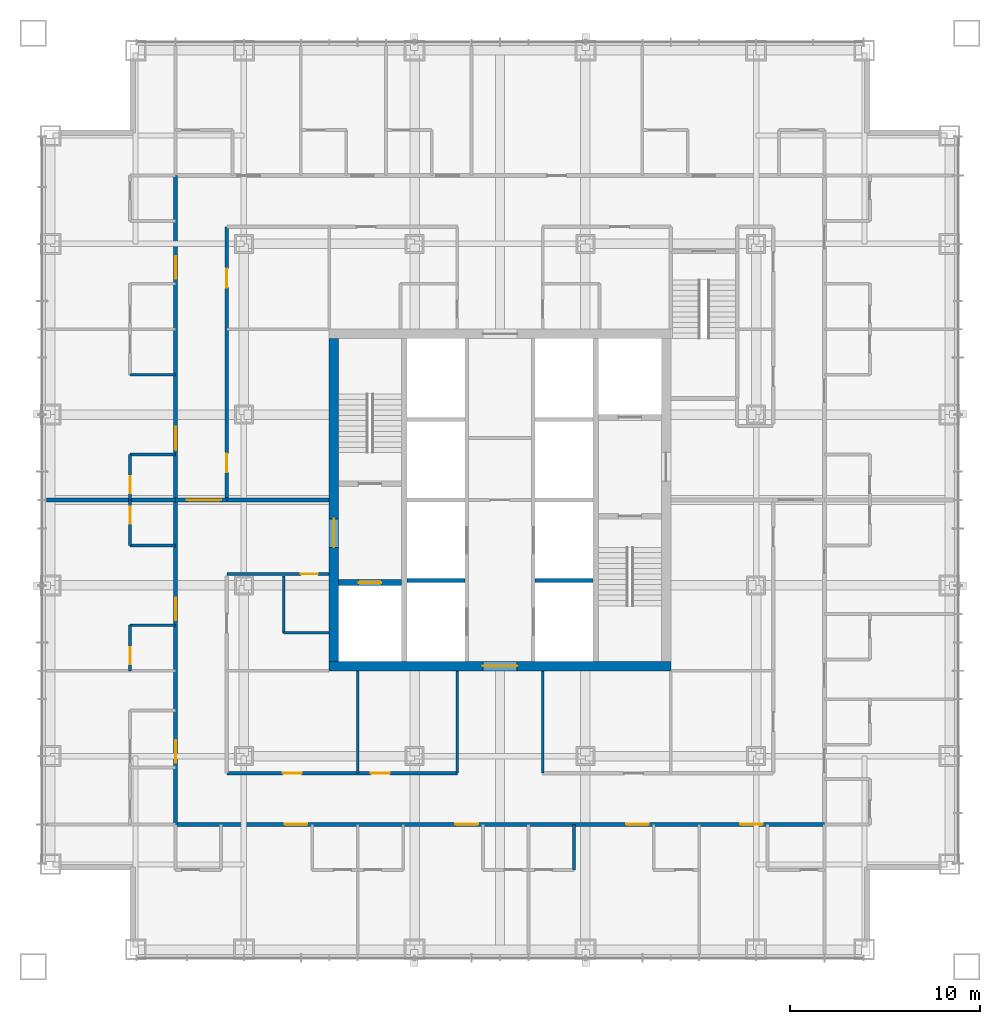
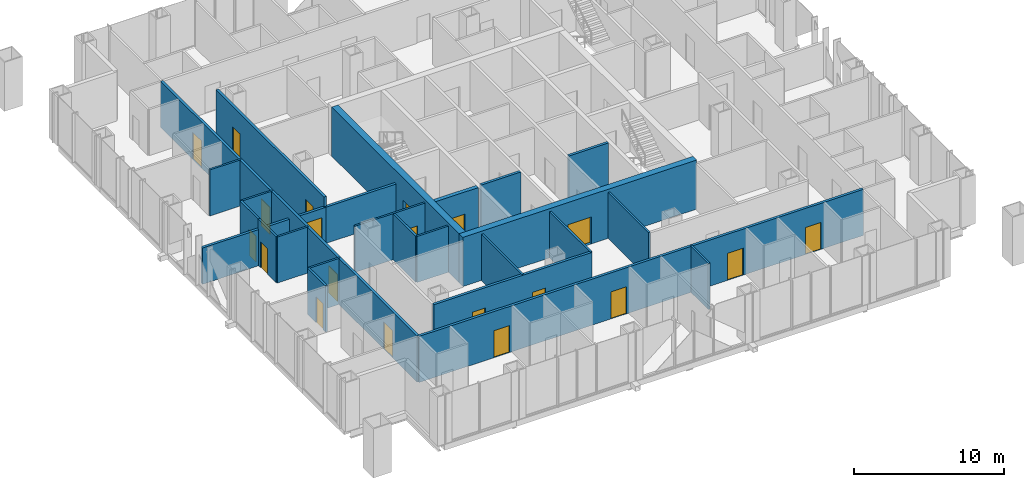
# One storey, part 9 of 16: 26 walls, 20 doors, 20 openings.
"""IFC4 building model written with IfcOpenShell, lengths in metres."""

from ifc_helpers import new_model, si_unit, direction, frame, frame_2d, origin, place, context, subcontext, project, spatial, rectangle, extrude, material, layer, layer_set, type_object, element, fill, save


model = new_model("IFC4")

# Units and contexts
model_context = context("Model", 3, precision=1e-05, world=origin(), true_north=direction((0.0, 1.0)))
body_context = subcontext(model_context, "Body", "Model", "MODEL_VIEW")
ifc_project = project(units=[si_unit("LENGTHUNIT", "METRE"), si_unit("AREAUNIT", "SQUARE_METRE"), si_unit("VOLUMEUNIT", "CUBIC_METRE"), si_unit("PLANEANGLEUNIT", "RADIAN"), si_unit("MASSUNIT", "GRAM", prefix="KILO")], contexts=[model_context])

# Site, building, storey
site_placement = place(None, origin())
site = spatial("IfcSite", under=ifc_project, at=site_placement, CompositionType="ELEMENT")
building_placement = place(site_placement, origin())
building = spatial("IfcBuilding", under=site, at=building_placement, Name="Malebo Sky Hospital", CompositionType="ELEMENT")
storey_placement = place(building_placement, frame((0.0, 0.0, 116.0)))
storey = spatial("IfcBuildingStorey", under=building, at=storey_placement, Name="L27", CompositionType="ELEMENT", Elevation=116.0)

# Walls
ifc_material_1 = material(Name="Concrete C80/95", Category="concrete")
ifc_layer_1 = layer(ifc_material_1, 0.199951171875)
ifc_layer_set_1 = layer_set([ifc_layer_1], Name="CORE INNER WALL 200")
wall_type_1 = type_object("IfcWallType", Name="CORE INNER WALL 200", PredefinedType="SHEAR", material=ifc_layer_set_1)
for number, where, z_axis, x_axis, name in (
    (1, (55.10009765625, 57.75, 0.0), (0.0, 0.0, 1.0), (1.0, 0.0, 0.0), "Core wall SW0 L27"),
    (2, (61.85009765625, 57.75, 0.0), (0.0, 0.0, 1.0), (1.0, 0.0, 0.0), "Core wall SE0 L27"),
):
    element("IfcWall", number, at=place(storey_placement, frame(where, z_axis=z_axis, x_axis=x_axis)), inside=storey, type_object=wall_type_1, Name=name, PredefinedType="SHEAR", context=body_context, shape_type="SweptSolid", body=[
        extrude(rectangle(XDim=3.0498046875, YDim=0.199951171875, at=frame_2d((1.52490234375, 0.0))), origin(), (0.0, 0.0, 1.0), 4.0),
    ])

# Wall, opening, door
ifc_layer_2 = layer(ifc_material_1, 0.300048828125)
ifc_layer_set_2 = layer_set([ifc_layer_2], Name="CORE INNER WALL 300")
wall_type_2 = type_object("IfcWallType", Name="CORE INNER WALL 300", PredefinedType="SHEAR", material=ifc_layer_set_2)
wall_1_placement = place(storey_placement, frame((51.5, 57.64990234375, 0.0), z_axis=(0.0, 0.0, 1.0), x_axis=(1.0, 0.0, 0.0)))
wall_1 = element("IfcWall", 3, at=wall_1_placement, inside=storey, type_object=wall_type_2, Name="Core wall W2 L27", PredefinedType="SHEAR", context=body_context, shape_type="SweptSolid", body=[
    extrude(rectangle(XDim=3.300048828125, YDim=0.300048828125, at=frame_2d((1.64990234375, 0.0))), origin(), (0.0, 0.0, 1.0), 4.0),
])
opening_1_placement = place(wall_1_placement, frame((1.050048828125, 0.0, 0.0)))
opening_1 = element("IfcOpeningElement", 4, at=opening_1_placement, cuts=wall_1, Name="Opening LD2", PredefinedType="OPENING", context=body_context, shape_type="SweptSolid", body=[
    extrude(rectangle(XDim=1.199951171875, YDim=2.199951171875, at=frame_2d((0.60009765625, 1.10009765625))), frame((0.0, 0.159912109375, 0.0), z_axis=(0.0, -1.0, 0.0), x_axis=(1.0, 0.0, 0.0)), (0.0, 0.0, 1.0), 0.320068359375),
])
ifc_material_2 = material(Name="Stainless steel sliding landing door", Category="steel")
door_type_1 = type_object("IfcDoorType", Name="FIRE-FIGHTING LIFT LANDING DOOR 1200", OperationType="SLIDING_TO_LEFT", PredefinedType="DOOR", material=ifc_material_2)
door_1_placement = place(opening_1_placement, origin())
door_1 = element("IfcDoor", 5, at=door_1_placement, inside=storey, type_object=door_type_1, Name="Lift FL1 landing door", OperationType="SLIDING_TO_LEFT", OverallHeight=2.199951171875, OverallWidth=1.199951171875, PredefinedType="DOOR", context=body_context, shape_type="SweptSolid", body=[
    extrude(rectangle(XDim=1.199951171875, YDim=2.199951171875, at=frame_2d((0.60009765625, 1.10009765625))), frame((0.0, 0.02490234375, 0.0), z_axis=(0.0, -1.0, 0.0), x_axis=(1.0, 0.0, 0.0)), (0.0, 0.0, 1.0), 0.050048828125),
])
fill(opening_1, door_1)

ifc_layer_3 = layer(ifc_material_1, 0.5)
ifc_layer_set_3 = layer_set([ifc_layer_3], Name="CORE WALL 500")
wall_type_3 = type_object("IfcWallType", Name="CORE WALL 500", PredefinedType="SHEAR", material=ifc_layer_set_3)
wall_2_placement = place(storey_placement, frame((51.0, 53.25, 0.0), z_axis=(0.0, 0.0, 1.0), x_axis=(1.0, 0.0, 0.0)))
wall_2 = element("IfcWall", 6, at=wall_2_placement, inside=storey, type_object=wall_type_3, Name="Core wall S L27", PredefinedType="SHEAR", context=body_context, shape_type="SweptSolid", body=[
    extrude(rectangle(XDim=18.0, YDim=0.5, at=frame_2d((9.0, 0.0))), origin(), (0.0, 0.0, 1.0), 4.0),
])
opening_2_placement = place(wall_2_placement, frame((8.10009765625, 0.0, 0.0)))
opening_2 = element("IfcOpeningElement", 7, at=opening_2_placement, cuts=wall_2, Name="Opening D06", PredefinedType="OPENING", context=body_context, shape_type="SweptSolid", body=[
    extrude(rectangle(XDim=1.800048828125, YDim=2.199951171875, at=frame_2d((0.89990234375, 1.10009765625))), frame((0.0, 0.260009765625, 0.0), z_axis=(0.0, -1.0, 0.0), x_axis=(1.0, 0.0, 0.0)), (0.0, 0.0, 1.0), 0.52001953125),
])
ifc_material_3 = material(Name="Hardwood-faced door leaf in steel frame", Category="steel")
door_type_2 = type_object("IfcDoorType", Name="LOBBY DOOR PAIR 1800", OperationType="DOUBLE_DOOR_SINGLE_SWING", PredefinedType="DOOR", material=ifc_material_3)
door_2_placement = place(opening_2_placement, origin())
door_2 = element("IfcDoor", 8, at=door_2_placement, inside=storey, type_object=door_type_2, Name="Lift lobby door south", OperationType="DOUBLE_DOOR_SINGLE_SWING", OverallHeight=2.199951171875, OverallWidth=1.800048828125, PredefinedType="DOOR", context=body_context, shape_type="SweptSolid", body=[
    extrude(rectangle(XDim=1.800048828125, YDim=2.199951171875, at=frame_2d((0.89990234375, 1.10009765625))), frame((0.0, 0.02490234375, 0.0), z_axis=(0.0, -1.0, 0.0), x_axis=(1.0, 0.0, 0.0)), (0.0, 0.0, 1.0), 0.050048828125),
])
fill(opening_2, door_2)

wall_3_placement = place(storey_placement, frame((51.25, 53.5, 0.0), z_axis=(0.0, 0.0, 1.0), x_axis=(0.0, 1.0, 0.0)))
wall_3 = element("IfcWall", 9, at=wall_3_placement, inside=storey, type_object=wall_type_3, Name="Core wall W L27", PredefinedType="SHEAR", context=body_context, shape_type="SweptSolid", body=[
    extrude(rectangle(XDim=17.0, YDim=0.5, at=frame_2d((8.5, 0.0))), origin(), (0.0, 0.0, 1.0), 4.0),
])
opening_3_placement = place(wall_3_placement, frame((6.0, 0.0, 0.0)))
opening_3 = element("IfcOpeningElement", 10, at=opening_3_placement, cuts=wall_3, Name="Opening D07", PredefinedType="OPENING", context=body_context, shape_type="SweptSolid", body=[
    extrude(rectangle(XDim=1.5, YDim=2.199951171875, at=frame_2d((0.75, 1.10009765625))), frame((0.0, 0.260009765625, 0.0), z_axis=(0.0, -1.0, 0.0), x_axis=(1.0, 0.0, 0.0)), (0.0, 0.0, 1.0), 0.52001953125),
])
door_type_3 = type_object("IfcDoorType", Name="FIRE-FIGHTING LOBBY DOOR PAIR 1500", OperationType="DOUBLE_DOOR_SINGLE_SWING", PredefinedType="DOOR", material=ifc_material_3)
door_3_placement = place(opening_3_placement, origin())
door_3 = element("IfcDoor", 11, at=door_3_placement, inside=storey, type_object=door_type_3, Name="Fire-fighting lobby door west", OperationType="DOUBLE_DOOR_SINGLE_SWING", OverallHeight=2.199951171875, OverallWidth=1.5, PredefinedType="DOOR", context=body_context, shape_type="SweptSolid", body=[
    extrude(rectangle(XDim=1.5, YDim=2.199951171875, at=frame_2d((0.75, 1.10009765625))), frame((0.0, 0.02490234375, 0.0), z_axis=(0.0, -1.0, 0.0), x_axis=(1.0, 0.0, 0.0)), (0.0, 0.0, 1.0), 0.050048828125),
])
fill(opening_3, door_3)

# Wall, openings, doors
ifc_material_4 = material(Name="Gypsum board on steel studs", Category="steel")
ifc_layer_4 = layer(ifc_material_4, 0.199951171875)
ifc_layer_set_4 = layer_set([ifc_layer_4], Name="CORRIDOR WALL 200")
wall_type_4 = type_object("IfcWallType", Name="CORRIDOR WALL 200", PredefinedType="PARTITIONING", material=ifc_layer_set_4)
wall_4_placement = place(storey_placement, frame((42.89990234375, 44.89990234375, 0.0), z_axis=(0.0, 0.0, 1.0), x_axis=(0.0, 1.0, 0.0)))
wall_4 = element("IfcWall", 12, at=wall_4_placement, inside=storey, type_object=wall_type_4, Name="Corridor Wall 200 WCO", PredefinedType="PARTITIONING", context=body_context, shape_type="SweptSolid", body=[
    extrude(rectangle(XDim=34.2001953125, YDim=0.199951171875, at=frame_2d((17.10009765625, 0.0))), origin(), (0.0, 0.0, 1.0), 3.75),
])
opening_4_placement = place(wall_4_placement, frame((3.25, 0.0, 0.0)))
opening_4 = element("IfcOpeningElement", 13, at=opening_4_placement, cuts=wall_4, Name="Opening D18", PredefinedType="OPENING", context=body_context, shape_type="SweptSolid", body=[
    extrude(rectangle(XDim=1.199951171875, YDim=2.199951171875, at=frame_2d((0.60009765625, 1.10009765625))), frame((0.0, 0.10986328125, 0.0), z_axis=(0.0, -1.0, 0.0), x_axis=(1.0, 0.0, 0.0)), (0.0, 0.0, 1.0), 0.219970703125),
])
opening_5_placement = place(wall_4_placement, frame((10.75, 0.0, 0.0)))
opening_5 = element("IfcOpeningElement", 14, at=opening_5_placement, cuts=wall_4, Name="Opening D01", PredefinedType="OPENING", context=body_context, shape_type="SweptSolid", body=[
    extrude(rectangle(XDim=1.199951171875, YDim=2.199951171875, at=frame_2d((0.60009765625, 1.10009765625))), frame((0.0, 0.10986328125, 0.0), z_axis=(0.0, -1.0, 0.0), x_axis=(1.0, 0.0, 0.0)), (0.0, 0.0, 1.0), 0.219970703125),
])
opening_6_placement = place(wall_4_placement, frame((19.75, 0.0, 0.0)))
opening_6 = element("IfcOpeningElement", 15, at=opening_6_placement, cuts=wall_4, Name="Opening D01", PredefinedType="OPENING", context=body_context, shape_type="SweptSolid", body=[
    extrude(rectangle(XDim=1.199951171875, YDim=2.199951171875, at=frame_2d((0.60009765625, 1.10009765625))), frame((0.0, 0.10986328125, 0.0), z_axis=(0.0, -1.0, 0.0), x_axis=(1.0, 0.0, 0.0)), (0.0, 0.0, 1.0), 0.219970703125),
])
opening_7_placement = place(wall_4_placement, frame((28.75, 0.0, 0.0)))
opening_7 = element("IfcOpeningElement", 16, at=opening_7_placement, cuts=wall_4, Name="Opening D01", PredefinedType="OPENING", context=body_context, shape_type="SweptSolid", body=[
    extrude(rectangle(XDim=1.199951171875, YDim=2.199951171875, at=frame_2d((0.60009765625, 1.10009765625))), frame((0.0, 0.10986328125, 0.0), z_axis=(0.0, -1.0, 0.0), x_axis=(1.0, 0.0, 0.0)), (0.0, 0.0, 1.0), 0.219970703125),
])
door_type_4 = type_object("IfcDoorType", Name="ANTEROOM DOOR 1200", OperationType="SINGLE_SWING_LEFT", PredefinedType="DOOR", material=ifc_material_3)
door_4_placement = place(opening_4_placement, origin())
door_4 = element("IfcDoor", 17, at=door_4_placement, inside=storey, type_object=door_type_4, Name="Anteroom door", OperationType="SINGLE_SWING_LEFT", OverallHeight=2.199951171875, OverallWidth=1.199951171875, PredefinedType="DOOR", context=body_context, shape_type="SweptSolid", body=[
    extrude(rectangle(XDim=1.199951171875, YDim=2.199951171875, at=frame_2d((0.60009765625, 1.10009765625))), frame((0.0, 0.02490234375, 0.0), z_axis=(0.0, -1.0, 0.0), x_axis=(1.0, 0.0, 0.0)), (0.0, 0.0, 1.0), 0.050048828125),
])
fill(opening_4, door_4)
door_type_5 = type_object("IfcDoorType", Name="BED DOOR 1200", OperationType="SINGLE_SWING_LEFT", PredefinedType="DOOR", material=ifc_material_3)
door_5_placement = place(opening_5_placement, origin())
door_5 = element("IfcDoor", 18, at=door_5_placement, inside=storey, type_object=door_type_5, Name="Four-bed bay door", OperationType="SINGLE_SWING_LEFT", OverallHeight=2.199951171875, OverallWidth=1.199951171875, PredefinedType="DOOR", context=body_context, shape_type="SweptSolid", body=[
    extrude(rectangle(XDim=1.199951171875, YDim=2.199951171875, at=frame_2d((0.60009765625, 1.10009765625))), frame((0.0, 0.02490234375, 0.0), z_axis=(0.0, -1.0, 0.0), x_axis=(1.0, 0.0, 0.0)), (0.0, 0.0, 1.0), 0.050048828125),
])
fill(opening_5, door_5)
door_6_placement = place(opening_6_placement, origin())
door_6 = element("IfcDoor", 19, at=door_6_placement, inside=storey, type_object=door_type_5, Name="Four-bed bay door", OperationType="SINGLE_SWING_LEFT", OverallHeight=2.199951171875, OverallWidth=1.199951171875, PredefinedType="DOOR", context=body_context, shape_type="SweptSolid", body=[
    extrude(rectangle(XDim=1.199951171875, YDim=2.199951171875, at=frame_2d((0.60009765625, 1.10009765625))), frame((0.0, 0.02490234375, 0.0), z_axis=(0.0, -1.0, 0.0), x_axis=(1.0, 0.0, 0.0)), (0.0, 0.0, 1.0), 0.050048828125),
])
fill(opening_6, door_6)
door_7_placement = place(opening_7_placement, origin())
door_7 = element("IfcDoor", 20, at=door_7_placement, inside=storey, type_object=door_type_5, Name="Four-bed bay door", OperationType="SINGLE_SWING_LEFT", OverallHeight=2.199951171875, OverallWidth=1.199951171875, PredefinedType="DOOR", context=body_context, shape_type="SweptSolid", body=[
    extrude(rectangle(XDim=1.199951171875, YDim=2.199951171875, at=frame_2d((0.60009765625, 1.10009765625))), frame((0.0, 0.02490234375, 0.0), z_axis=(0.0, -1.0, 0.0), x_axis=(1.0, 0.0, 0.0)), (0.0, 0.0, 1.0), 0.050048828125),
])
fill(opening_7, door_7)

wall_5_placement = place(storey_placement, frame((45.60009765625, 62.0, 0.0), z_axis=(0.0, 0.0, 1.0), x_axis=(0.0, 1.0, 0.0)))
wall_5 = element("IfcWall", 21, at=wall_5_placement, inside=storey, type_object=wall_type_4, Name="Corridor Wall 200 WCI2", PredefinedType="PARTITIONING", context=body_context, shape_type="SweptSolid", body=[
    extrude(rectangle(XDim=14.39990234375, YDim=0.199951171875, at=frame_2d((7.199951171875, 0.0))), origin(), (0.0, 0.0, 1.0), 3.75),
])
opening_8_placement = place(wall_5_placement, frame((1.449951171875, 0.0, 0.0)))
opening_8 = element("IfcOpeningElement", 22, at=opening_8_placement, cuts=wall_5, Name="Opening D03", PredefinedType="OPENING", context=body_context, shape_type="SweptSolid", body=[
    extrude(rectangle(XDim=1.0, YDim=2.10009765625, at=frame_2d((0.5, 1.050048828125))), frame((0.0, 0.10986328125, 0.0), z_axis=(0.0, -1.0, 0.0), x_axis=(1.0, 0.0, 0.0)), (0.0, 0.0, 1.0), 0.219970703125),
])
opening_9_placement = place(wall_5_placement, frame((11.199951171875, 0.0, 0.0)))
opening_9 = element("IfcOpeningElement", 23, at=opening_9_placement, cuts=wall_5, Name="Opening D03", PredefinedType="OPENING", context=body_context, shape_type="SweptSolid", body=[
    extrude(rectangle(XDim=1.0, YDim=2.10009765625, at=frame_2d((0.5, 1.050048828125))), frame((0.0, 0.10986328125, 0.0), z_axis=(0.0, -1.0, 0.0), x_axis=(1.0, 0.0, 0.0)), (0.0, 0.0, 1.0), 0.219970703125),
])
door_type_6 = type_object("IfcDoorType", Name="ROOM DOOR 1000", OperationType="SINGLE_SWING_LEFT", PredefinedType="DOOR", material=ifc_material_3)
door_8_placement = place(opening_8_placement, origin())
door_8 = element("IfcDoor", 24, at=door_8_placement, inside=storey, type_object=door_type_6, Name="Nurse station door", OperationType="SINGLE_SWING_LEFT", OverallHeight=2.10009765625, OverallWidth=1.0, PredefinedType="DOOR", context=body_context, shape_type="SweptSolid", body=[
    extrude(rectangle(XDim=1.0, YDim=2.10009765625, at=frame_2d((0.5, 1.050048828125))), frame((0.0, 0.02490234375, 0.0), z_axis=(0.0, -1.0, 0.0), x_axis=(1.0, 0.0, 0.0)), (0.0, 0.0, 1.0), 0.050048828125),
])
fill(opening_8, door_8)
door_9_placement = place(opening_9_placement, origin())
door_9 = element("IfcDoor", 25, at=door_9_placement, inside=storey, type_object=door_type_6, Name="Clean utility room door", OperationType="SINGLE_SWING_RIGHT", OverallHeight=2.10009765625, OverallWidth=1.0, PredefinedType="DOOR", context=body_context, shape_type="SweptSolid", body=[
    extrude(rectangle(XDim=1.0, YDim=2.10009765625, at=frame_2d((0.5, 1.050048828125))), frame((0.0, 0.02490234375, 0.0), z_axis=(0.0, -1.0, 0.0), x_axis=(1.0, 0.0, 0.0)), (0.0, 0.0, 1.0), 0.050048828125),
])
fill(opening_9, door_9)

wall_6_placement = place(storey_placement, frame((77.10009765625, 44.89990234375, 0.0), z_axis=(0.0, 0.0, 1.0), x_axis=(-1.0, 0.0, 0.0)))
wall_6 = element("IfcWall", 26, at=wall_6_placement, inside=storey, type_object=wall_type_4, Name="Corridor Wall 200 SCO", PredefinedType="PARTITIONING", context=body_context, shape_type="SweptSolid", body=[
    extrude(rectangle(XDim=34.2001953125, YDim=0.199951171875, at=frame_2d((17.10009765625, 0.0))), origin(), (0.0, 0.0, 1.0), 3.75),
])
opening_10_placement = place(wall_6_placement, frame((3.25, 0.0, 0.0)))
opening_10 = element("IfcOpeningElement", 27, at=opening_10_placement, cuts=wall_6, Name="Opening D01", PredefinedType="OPENING", context=body_context, shape_type="SweptSolid", body=[
    extrude(rectangle(XDim=1.199951171875, YDim=2.199951171875, at=frame_2d((0.60009765625, 1.10009765625))), frame((0.0, 0.10986328125, 0.0), z_axis=(0.0, -1.0, 0.0), x_axis=(1.0, 0.0, 0.0)), (0.0, 0.0, 1.0), 0.219970703125),
])
opening_11_placement = place(wall_6_placement, frame((9.25, 0.0, 0.0)))
opening_11 = element("IfcOpeningElement", 28, at=opening_11_placement, cuts=wall_6, Name="Opening D01", PredefinedType="OPENING", context=body_context, shape_type="SweptSolid", body=[
    extrude(rectangle(XDim=1.199951171875, YDim=2.199951171875, at=frame_2d((0.60009765625, 1.10009765625))), frame((0.0, 0.10986328125, 0.0), z_axis=(0.0, -1.0, 0.0), x_axis=(1.0, 0.0, 0.0)), (0.0, 0.0, 1.0), 0.219970703125),
])
opening_12_placement = place(wall_6_placement, frame((18.25, 0.0, 0.0)))
opening_12 = element("IfcOpeningElement", 29, at=opening_12_placement, cuts=wall_6, Name="Opening D01", PredefinedType="OPENING", context=body_context, shape_type="SweptSolid", body=[
    extrude(rectangle(XDim=1.199951171875, YDim=2.199951171875, at=frame_2d((0.60009765625, 1.10009765625))), frame((0.0, 0.10986328125, 0.0), z_axis=(0.0, -1.0, 0.0), x_axis=(1.0, 0.0, 0.0)), (0.0, 0.0, 1.0), 0.219970703125),
])
opening_13_placement = place(wall_6_placement, frame((27.25, 0.0, 0.0)))
opening_13 = element("IfcOpeningElement", 30, at=opening_13_placement, cuts=wall_6, Name="Opening D01", PredefinedType="OPENING", context=body_context, shape_type="SweptSolid", body=[
    extrude(rectangle(XDim=1.199951171875, YDim=2.199951171875, at=frame_2d((0.60009765625, 1.10009765625))), frame((0.0, 0.10986328125, 0.0), z_axis=(0.0, -1.0, 0.0), x_axis=(1.0, 0.0, 0.0)), (0.0, 0.0, 1.0), 0.219970703125),
])
door_10_placement = place(opening_10_placement, origin())
door_10 = element("IfcDoor", 31, at=door_10_placement, inside=storey, type_object=door_type_5, Name="Single bed room door", OperationType="SINGLE_SWING_LEFT", OverallHeight=2.199951171875, OverallWidth=1.199951171875, PredefinedType="DOOR", context=body_context, shape_type="SweptSolid", body=[
    extrude(rectangle(XDim=1.199951171875, YDim=2.199951171875, at=frame_2d((0.60009765625, 1.10009765625))), frame((0.0, 0.02490234375, 0.0), z_axis=(0.0, -1.0, 0.0), x_axis=(1.0, 0.0, 0.0)), (0.0, 0.0, 1.0), 0.050048828125),
])
fill(opening_10, door_10)
door_11_placement = place(opening_11_placement, origin())
door_11 = element("IfcDoor", 32, at=door_11_placement, inside=storey, type_object=door_type_5, Name="Four-bed bay door", OperationType="SINGLE_SWING_LEFT", OverallHeight=2.199951171875, OverallWidth=1.199951171875, PredefinedType="DOOR", context=body_context, shape_type="SweptSolid", body=[
    extrude(rectangle(XDim=1.199951171875, YDim=2.199951171875, at=frame_2d((0.60009765625, 1.10009765625))), frame((0.0, 0.02490234375, 0.0), z_axis=(0.0, -1.0, 0.0), x_axis=(1.0, 0.0, 0.0)), (0.0, 0.0, 1.0), 0.050048828125),
])
fill(opening_11, door_11)
door_12_placement = place(opening_12_placement, origin())
door_12 = element("IfcDoor", 33, at=door_12_placement, inside=storey, type_object=door_type_5, Name="Four-bed bay door", OperationType="SINGLE_SWING_LEFT", OverallHeight=2.199951171875, OverallWidth=1.199951171875, PredefinedType="DOOR", context=body_context, shape_type="SweptSolid", body=[
    extrude(rectangle(XDim=1.199951171875, YDim=2.199951171875, at=frame_2d((0.60009765625, 1.10009765625))), frame((0.0, 0.02490234375, 0.0), z_axis=(0.0, -1.0, 0.0), x_axis=(1.0, 0.0, 0.0)), (0.0, 0.0, 1.0), 0.050048828125),
])
fill(opening_12, door_12)
door_13_placement = place(opening_13_placement, origin())
door_13 = element("IfcDoor", 34, at=door_13_placement, inside=storey, type_object=door_type_5, Name="Four-bed bay door", OperationType="SINGLE_SWING_LEFT", OverallHeight=2.199951171875, OverallWidth=1.199951171875, PredefinedType="DOOR", context=body_context, shape_type="SweptSolid", body=[
    extrude(rectangle(XDim=1.199951171875, YDim=2.199951171875, at=frame_2d((0.60009765625, 1.10009765625))), frame((0.0, 0.02490234375, 0.0), z_axis=(0.0, -1.0, 0.0), x_axis=(1.0, 0.0, 0.0)), (0.0, 0.0, 1.0), 0.050048828125),
])
fill(opening_13, door_13)

wall_7_placement = place(storey_placement, frame((57.75, 47.60009765625, 0.0), z_axis=(0.0, 0.0, 1.0), x_axis=(-1.0, 0.0, 0.0)))
wall_7 = element("IfcWall", 35, at=wall_7_placement, inside=storey, type_object=wall_type_4, Name="Corridor Wall 200 SCI2", PredefinedType="PARTITIONING", context=body_context, shape_type="SweptSolid", body=[
    extrude(rectangle(XDim=12.14990234375, YDim=0.199951171875, at=frame_2d((6.074951171875, 0.0))), origin(), (0.0, 0.0, 1.0), 3.75),
])
opening_14_placement = place(wall_7_placement, frame((3.550048828125, 0.0, 0.0)))
opening_14 = element("IfcOpeningElement", 36, at=opening_14_placement, cuts=wall_7, Name="Opening D03", PredefinedType="OPENING", context=body_context, shape_type="SweptSolid", body=[
    extrude(rectangle(XDim=1.0, YDim=2.10009765625, at=frame_2d((0.5, 1.050048828125))), frame((0.0, 0.10986328125, 0.0), z_axis=(0.0, -1.0, 0.0), x_axis=(1.0, 0.0, 0.0)), (0.0, 0.0, 1.0), 0.219970703125),
])
opening_15_placement = place(wall_7_placement, frame((8.199951171875, 0.0, 0.0)))
opening_15 = element("IfcOpeningElement", 37, at=opening_15_placement, cuts=wall_7, Name="Opening D03", PredefinedType="OPENING", context=body_context, shape_type="SweptSolid", body=[
    extrude(rectangle(XDim=1.0, YDim=2.10009765625, at=frame_2d((0.5, 1.050048828125))), frame((0.0, 0.10986328125, 0.0), z_axis=(0.0, -1.0, 0.0), x_axis=(1.0, 0.0, 0.0)), (0.0, 0.0, 1.0), 0.219970703125),
])
door_14_placement = place(opening_14_placement, origin())
door_14 = element("IfcDoor", 38, at=door_14_placement, inside=storey, type_object=door_type_6, Name="Ward office door", OperationType="SINGLE_SWING_RIGHT", OverallHeight=2.10009765625, OverallWidth=1.0, PredefinedType="DOOR", context=body_context, shape_type="SweptSolid", body=[
    extrude(rectangle(XDim=1.0, YDim=2.10009765625, at=frame_2d((0.5, 1.050048828125))), frame((0.0, 0.02490234375, 0.0), z_axis=(0.0, -1.0, 0.0), x_axis=(1.0, 0.0, 0.0)), (0.0, 0.0, 1.0), 0.050048828125),
])
fill(opening_14, door_14)
door_15_placement = place(opening_15_placement, origin())
door_15 = element("IfcDoor", 39, at=door_15_placement, inside=storey, type_object=door_type_6, Name="Echo room door", OperationType="SINGLE_SWING_RIGHT", OverallHeight=2.10009765625, OverallWidth=1.0, PredefinedType="DOOR", context=body_context, shape_type="SweptSolid", body=[
    extrude(rectangle(XDim=1.0, YDim=2.10009765625, at=frame_2d((0.5, 1.050048828125))), frame((0.0, 0.02490234375, 0.0), z_axis=(0.0, -1.0, 0.0), x_axis=(1.0, 0.0, 0.0)), (0.0, 0.0, 1.0), 0.050048828125),
])
fill(opening_15, door_15)

# Wall, opening, door
ifc_layer_5 = layer(ifc_material_4, 0.14990234375)
ifc_layer_set_5 = layer_set([ifc_layer_5], Name="PARTITION 150")
wall_type_5 = type_object("IfcWallType", Name="PARTITION 150", PredefinedType="PARTITIONING", material=ifc_layer_set_5)
wall_8_placement = place(storey_placement, frame((40.5, 53.0, 0.0), z_axis=(0.0, 0.0, 1.0), x_axis=(0.0, 1.0, 0.0)))
wall_8 = element("IfcWall", 40, at=wall_8_placement, inside=storey, type_object=wall_type_5, Name="Partition 150 WE1F", PredefinedType="PARTITIONING", context=body_context, shape_type="SweptSolid", body=[
    extrude(rectangle(XDim=2.39990234375, YDim=0.14990234375, at=frame_2d((1.199951171875, 0.0))), origin(), (0.0, 0.0, 1.0), 3.75),
])
opening_16_placement = place(wall_8_placement, frame((0.35009765625, 0.0, 0.0)))
opening_16 = element("IfcOpeningElement", 41, at=opening_16_placement, cuts=wall_8, Name="Opening D02", PredefinedType="OPENING", context=body_context, shape_type="SweptSolid", body=[
    extrude(rectangle(XDim=0.89990234375, YDim=2.10009765625, at=frame_2d((0.449951171875, 1.050048828125))), frame((0.0, 0.0849609375, 0.0), z_axis=(0.0, -1.0, 0.0), x_axis=(1.0, 0.0, 0.0)), (0.0, 0.0, 1.0), 0.169921875),
])
door_type_7 = type_object("IfcDoorType", Name="EN-SUITE DOOR 900", OperationType="SINGLE_SWING_LEFT", PredefinedType="DOOR", material=ifc_material_3)
door_16_placement = place(opening_16_placement, origin())
door_16 = element("IfcDoor", 42, at=door_16_placement, inside=storey, type_object=door_type_7, Name="En-suite door", OperationType="SINGLE_SWING_LEFT", OverallHeight=2.10009765625, OverallWidth=0.89990234375, PredefinedType="DOOR", context=body_context, shape_type="SweptSolid", body=[
    extrude(rectangle(XDim=0.89990234375, YDim=2.10009765625, at=frame_2d((0.449951171875, 1.050048828125))), frame((0.0, 0.02490234375, 0.0), z_axis=(0.0, -1.0, 0.0), x_axis=(1.0, 0.0, 0.0)), (0.0, 0.0, 1.0), 0.050048828125),
])
fill(opening_16, door_16)

# Wall
wall_9_placement = place(storey_placement, frame((42.89990234375, 55.39990234375, 0.0), z_axis=(0.0, 0.0, 1.0), x_axis=(-1.0, 0.0, 0.0)))
element("IfcWall", 43, at=wall_9_placement, inside=storey, type_object=wall_type_5, Name="Partition 150 WE1S", PredefinedType="PARTITIONING", context=body_context, shape_type="SweptSolid", body=[
    extrude(rectangle(XDim=2.39990234375, YDim=0.14990234375, at=frame_2d((1.199951171875, 0.0))), origin(), (0.0, 0.0, 1.0), 3.75),
])

# Wall, opening, door
wall_10_placement = place(storey_placement, frame((40.5, 59.60009765625, 0.0), z_axis=(0.0, 0.0, 1.0), x_axis=(0.0, 1.0, 0.0)))
wall_10 = element("IfcWall", 44, at=wall_10_placement, inside=storey, type_object=wall_type_5, Name="Partition 150 WG1F", PredefinedType="PARTITIONING", context=body_context, shape_type="SweptSolid", body=[
    extrude(rectangle(XDim=2.39990234375, YDim=0.14990234375, at=frame_2d((1.199951171875, 0.0))), origin(), (0.0, 0.0, 1.0), 3.75),
])
opening_17_placement = place(wall_10_placement, frame((1.14990234375, 0.0, 0.0)))
opening_17 = element("IfcOpeningElement", 45, at=opening_17_placement, cuts=wall_10, Name="Opening D02", PredefinedType="OPENING", context=body_context, shape_type="SweptSolid", body=[
    extrude(rectangle(XDim=0.89990234375, YDim=2.10009765625, at=frame_2d((0.449951171875, 1.050048828125))), frame((0.0, 0.0849609375, 0.0), z_axis=(0.0, -1.0, 0.0), x_axis=(1.0, 0.0, 0.0)), (0.0, 0.0, 1.0), 0.169921875),
])
door_17_placement = place(opening_17_placement, origin())
door_17 = element("IfcDoor", 46, at=door_17_placement, inside=storey, type_object=door_type_7, Name="En-suite door", OperationType="SINGLE_SWING_RIGHT", OverallHeight=2.10009765625, OverallWidth=0.89990234375, PredefinedType="DOOR", context=body_context, shape_type="SweptSolid", body=[
    extrude(rectangle(XDim=0.89990234375, YDim=2.10009765625, at=frame_2d((0.449951171875, 1.050048828125))), frame((0.0, 0.02490234375, 0.0), z_axis=(0.0, -1.0, 0.0), x_axis=(1.0, 0.0, 0.0)), (0.0, 0.0, 1.0), 0.050048828125),
])
fill(opening_17, door_17)

# Wall
wall_11_placement = place(storey_placement, frame((42.89990234375, 59.60009765625, 0.0), z_axis=(0.0, 0.0, 1.0), x_axis=(-1.0, 0.0, 0.0)))
element("IfcWall", 47, at=wall_11_placement, inside=storey, type_object=wall_type_5, Name="Partition 150 WG1S", PredefinedType="PARTITIONING", context=body_context, shape_type="SweptSolid", body=[
    extrude(rectangle(XDim=2.39990234375, YDim=0.14990234375, at=frame_2d((1.199951171875, 0.0))), origin(), (0.0, 0.0, 1.0), 3.75),
])

# Wall, opening, door
wall_12_placement = place(storey_placement, frame((40.5, 62.0, 0.0), z_axis=(0.0, 0.0, 1.0), x_axis=(0.0, 1.0, 0.0)))
wall_12 = element("IfcWall", 48, at=wall_12_placement, inside=storey, type_object=wall_type_5, Name="Partition 150 WE2F", PredefinedType="PARTITIONING", context=body_context, shape_type="SweptSolid", body=[
    extrude(rectangle(XDim=2.39990234375, YDim=0.14990234375, at=frame_2d((1.199951171875, 0.0))), origin(), (0.0, 0.0, 1.0), 3.75),
])
opening_18_placement = place(wall_12_placement, frame((0.35009765625, 0.0, 0.0)))
opening_18 = element("IfcOpeningElement", 49, at=opening_18_placement, cuts=wall_12, Name="Opening D02", PredefinedType="OPENING", context=body_context, shape_type="SweptSolid", body=[
    extrude(rectangle(XDim=0.89990234375, YDim=2.10009765625, at=frame_2d((0.449951171875, 1.050048828125))), frame((0.0, 0.0849609375, 0.0), z_axis=(0.0, -1.0, 0.0), x_axis=(1.0, 0.0, 0.0)), (0.0, 0.0, 1.0), 0.169921875),
])
door_18_placement = place(opening_18_placement, origin())
door_18 = element("IfcDoor", 50, at=door_18_placement, inside=storey, type_object=door_type_7, Name="En-suite door", OperationType="SINGLE_SWING_LEFT", OverallHeight=2.10009765625, OverallWidth=0.89990234375, PredefinedType="DOOR", context=body_context, shape_type="SweptSolid", body=[
    extrude(rectangle(XDim=0.89990234375, YDim=2.10009765625, at=frame_2d((0.449951171875, 1.050048828125))), frame((0.0, 0.02490234375, 0.0), z_axis=(0.0, -1.0, 0.0), x_axis=(1.0, 0.0, 0.0)), (0.0, 0.0, 1.0), 0.050048828125),
])
fill(opening_18, door_18)

# Walls
for number, where, z_axis, x_axis, name in (
    (51, (42.89990234375, 64.39990234375, 0.0), (0.0, 0.0, 1.0), (-1.0, 0.0, 0.0), "Partition 150 WE2S"),
    (52, (42.89990234375, 68.60009765625, 0.0), (0.0, 0.0, 1.0), (-1.0, 0.0, 0.0), "Partition 150 WG2S"),
):
    element("IfcWall", number, at=place(storey_placement, frame(where, z_axis=z_axis, x_axis=x_axis)), inside=storey, type_object=wall_type_5, Name=name, PredefinedType="PARTITIONING", context=body_context, shape_type="SweptSolid", body=[
        extrude(rectangle(XDim=2.39990234375, YDim=0.14990234375, at=frame_2d((1.199951171875, 0.0))), origin(), (0.0, 0.0, 1.0), 3.75),
    ])

# Wall, opening, door
wall_13_placement = place(storey_placement, frame((51.0, 58.10009765625, 0.0), z_axis=(0.0, 0.0, 1.0), x_axis=(-1.0, 0.0, 0.0)))
wall_13 = element("IfcWall", 53, at=wall_13_placement, inside=storey, type_object=wall_type_5, Name="Partition 150 WSPA", PredefinedType="PARTITIONING", context=body_context, shape_type="SweptSolid", body=[
    extrude(rectangle(XDim=5.39990234375, YDim=0.14990234375, at=frame_2d((2.699951171875, 0.0))), origin(), (0.0, 0.0, 1.0), 3.75),
])
opening_19_placement = place(wall_13_placement, frame((0.60009765625, 0.0, 0.0)))
opening_19 = element("IfcOpeningElement", 54, at=opening_19_placement, cuts=wall_13, Name="Opening D04", PredefinedType="OPENING", context=body_context, shape_type="SweptSolid", body=[
    extrude(rectangle(XDim=0.89990234375, YDim=2.10009765625, at=frame_2d((0.449951171875, 1.050048828125))), frame((0.0, 0.0849609375, 0.0), z_axis=(0.0, -1.0, 0.0), x_axis=(1.0, 0.0, 0.0)), (0.0, 0.0, 1.0), 0.169921875),
])
door_type_8 = type_object("IfcDoorType", Name="ROOM DOOR 900", OperationType="SINGLE_SWING_LEFT", PredefinedType="DOOR", material=ifc_material_3)
door_19_placement = place(opening_19_placement, origin())
door_19 = element("IfcDoor", 55, at=door_19_placement, inside=storey, type_object=door_type_8, Name="Cleaner's room door", OperationType="SINGLE_SWING_LEFT", OverallHeight=2.10009765625, OverallWidth=0.89990234375, PredefinedType="DOOR", context=body_context, shape_type="SweptSolid", body=[
    extrude(rectangle(XDim=0.89990234375, YDim=2.10009765625, at=frame_2d((0.449951171875, 1.050048828125))), frame((0.0, 0.02490234375, 0.0), z_axis=(0.0, -1.0, 0.0), x_axis=(1.0, 0.0, 0.0)), (0.0, 0.0, 1.0), 0.050048828125),
])
fill(opening_19, door_19)

# Walls
wall_14_placement = place(storey_placement, frame((48.60009765625, 55.0, 0.0), z_axis=(0.0, 0.0, 1.0), x_axis=(0.0, 1.0, 0.0)))
element("IfcWall", 56, at=wall_14_placement, inside=storey, type_object=wall_type_5, Name="Partition 150 WSX0", PredefinedType="PARTITIONING", context=body_context, shape_type="SweptSolid", body=[
    extrude(rectangle(XDim=3.0, YDim=0.14990234375, at=frame_2d((1.5, 0.0))), origin(), (0.0, 0.0, 1.0), 3.75),
])
for number, where, z_axis, x_axis, name in (
    (57, (51.0, 55.0, 0.0), (0.0, 0.0, 1.0), (-1.0, 0.0, 0.0), "Partition 150 WSY0"),
    (58, (63.89990234375, 44.89990234375, 0.0), (0.0, 0.0, 1.0), (0.0, -1.0, 0.0), "Partition 150 SG1S"),
):
    element("IfcWall", number, at=place(storey_placement, frame(where, z_axis=z_axis, x_axis=x_axis)), inside=storey, type_object=wall_type_5, Name=name, PredefinedType="PARTITIONING", context=body_context, shape_type="SweptSolid", body=[
        extrude(rectangle(XDim=2.39990234375, YDim=0.14990234375, at=frame_2d((1.199951171875, 0.0))), origin(), (0.0, 0.0, 1.0), 3.75),
    ])
for number, where, z_axis, x_axis, name in (
    (59, (62.25, 53.0, 0.0), (0.0, 0.0, 1.0), (0.0, -1.0, 0.0), "Partition 150 SSPA"),
    (60, (57.75, 53.0, 0.0), (0.0, 0.0, 1.0), (0.0, -1.0, 0.0), "Partition 150 SSPB"),
    (61, (52.5, 53.0, 0.0), (0.0, 0.0, 1.0), (0.0, -1.0, 0.0), "Partition 150 SSP+7.5"),
):
    element("IfcWall", number, at=place(storey_placement, frame(where, z_axis=z_axis, x_axis=x_axis)), inside=storey, type_object=wall_type_5, Name=name, PredefinedType="PARTITIONING", context=body_context, shape_type="SweptSolid", body=[
        extrude(rectangle(XDim=5.39990234375, YDim=0.14990234375, at=frame_2d((2.699951171875, 0.0))), origin(), (0.0, 0.0, 1.0), 3.75),
    ])
ifc_material_5 = material(Name="Concrete blockwork", Category="masonry")
ifc_layer_6 = layer(ifc_material_5, 0.199951171875)
ifc_layer_set_6 = layer_set([ifc_layer_6], Name="SMOKE BARRIER WALL 200")
wall_type_6 = type_object("IfcWallType", Name="SMOKE BARRIER WALL 200", PredefinedType="SOLIDWALL", material=ifc_layer_set_6)
wall_15_placement = place(storey_placement, frame((42.89990234375, 62.0, 0.0), z_axis=(0.0, 0.0, 1.0), x_axis=(-1.0, 0.0, 0.0)))
element("IfcWall", 62, at=wall_15_placement, inside=storey, type_object=wall_type_6, Name="Smoke Barrier Wall 200 WP+0.0", PredefinedType="SOLIDWALL", context=body_context, shape_type="SweptSolid", body=[
    extrude(rectangle(XDim=6.809814453125, YDim=0.199951171875, at=frame_2d((3.40478515625, 0.0))), origin(), (0.0, 0.0, 1.0), 2.949951171875),
])
wall_16_placement = place(storey_placement, frame((51.0, 62.0, 0.0), z_axis=(0.0, 0.0, 1.0), x_axis=(-1.0, 0.0, 0.0)))
element("IfcWall", 63, at=wall_16_placement, inside=storey, type_object=wall_type_6, Name="Smoke Barrier Wall 200 WSPB", PredefinedType="SOLIDWALL", context=body_context, shape_type="SweptSolid", body=[
    extrude(rectangle(XDim=5.39990234375, YDim=0.199951171875, at=frame_2d((2.699951171875, 0.0))), origin(), (0.0, 0.0, 1.0), 2.949951171875),
])

# Wall, opening, door
wall_17_placement = place(storey_placement, frame((45.60009765625, 62.0, 0.0), z_axis=(0.0, 0.0, 1.0), x_axis=(-1.0, 0.0, 0.0)))
wall_17 = element("IfcWall", 64, at=wall_17_placement, inside=storey, type_object=wall_type_6, Name="Smoke Barrier Wall 200 WSB", PredefinedType="SOLIDWALL", context=body_context, shape_type="SweptSolid", body=[
    extrude(rectangle(XDim=2.7001953125, YDim=0.199951171875, at=frame_2d((1.35009765625, 0.0))), origin(), (0.0, 0.0, 1.0), 2.949951171875),
])
opening_20_placement = place(wall_17_placement, frame((0.300048828125, 0.0, 0.0)))
opening_20 = element("IfcOpeningElement", 65, at=opening_20_placement, cuts=wall_17, Name="Opening D05", PredefinedType="OPENING", context=body_context, shape_type="SweptSolid", body=[
    extrude(rectangle(XDim=1.800048828125, YDim=2.199951171875, at=frame_2d((0.89990234375, 1.10009765625))), frame((0.0, 0.10986328125, 0.0), z_axis=(0.0, -1.0, 0.0), x_axis=(1.0, 0.0, 0.0)), (0.0, 0.0, 1.0), 0.219970703125),
])
door_type_9 = type_object("IfcDoorType", Name="SMOKE DOOR PAIR 1800", OperationType="DOUBLE_DOOR_DOUBLE_SWING", PredefinedType="DOOR", material=ifc_material_3)
door_20_placement = place(opening_20_placement, origin())
door_20 = element("IfcDoor", 66, at=door_20_placement, inside=storey, type_object=door_type_9, Name="Smoke compartment door pair", OperationType="DOUBLE_DOOR_DOUBLE_SWING", OverallHeight=2.199951171875, OverallWidth=1.800048828125, PredefinedType="DOOR", context=body_context, shape_type="SweptSolid", body=[
    extrude(rectangle(XDim=1.800048828125, YDim=2.199951171875, at=frame_2d((0.89990234375, 1.10009765625))), frame((0.0, 0.02490234375, 0.0), z_axis=(0.0, -1.0, 0.0), x_axis=(1.0, 0.0, 0.0)), (0.0, 0.0, 1.0), 0.050048828125),
])
fill(opening_20, door_20)

save(model, "model.ifc")
